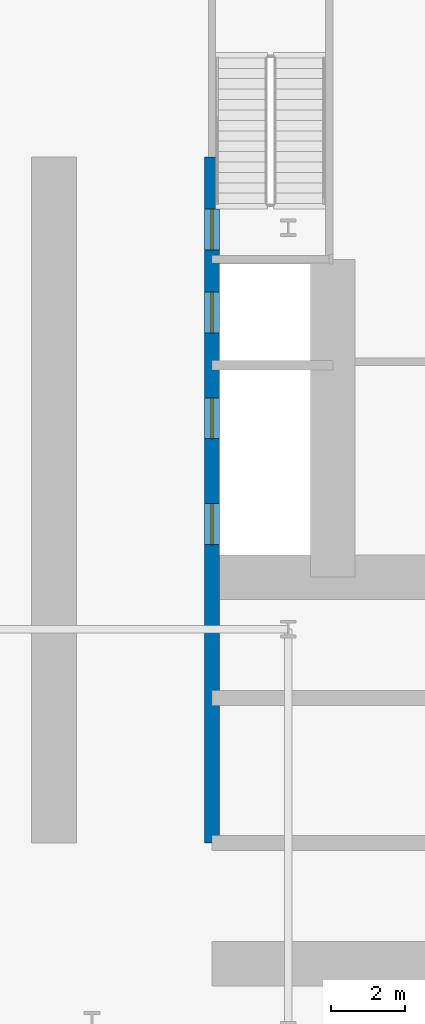
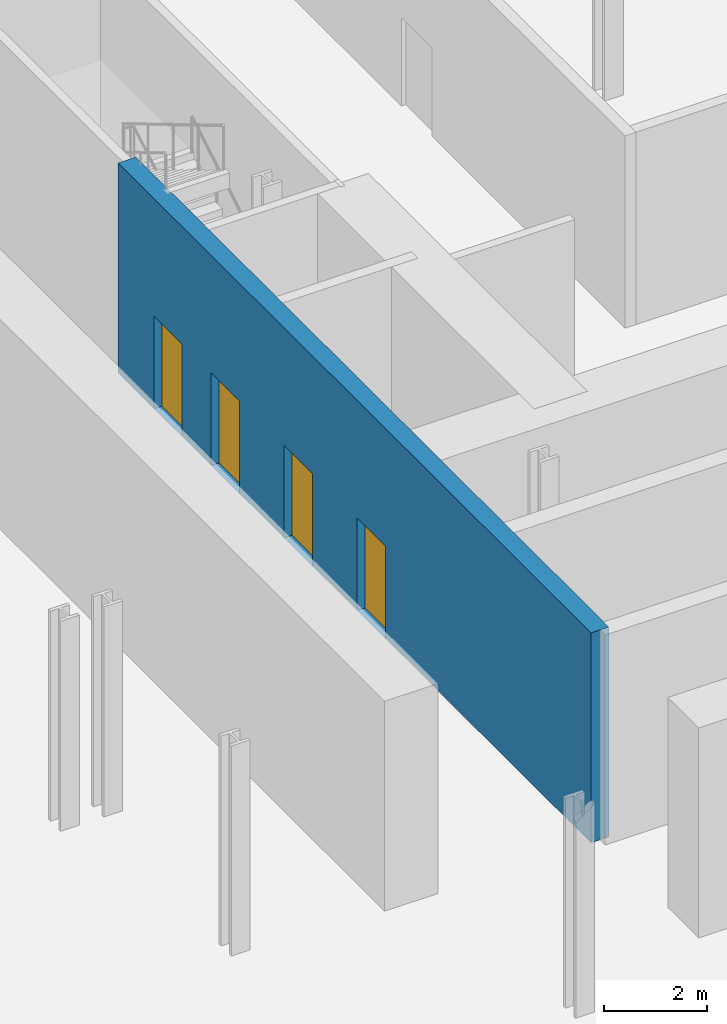
# One storey, part 6 of 19: 4 doors, 1 wall, 4 openings.
"""IFC4 building model written with IfcOpenShell, lengths in metres."""

from ifc_helpers import new_model, si_unit, direction, frame, frame_2d, origin, place, context, subcontext, project, spatial, rectangle, extrude, source, transform, mapped, material, layer, layer_set, type_object, element, fill, save


model = new_model("IFC4")

# Units and contexts
model_context = context("Model", 3, precision=1e-05, world=origin(), true_north=direction((0.0, 1.0)))
body_context = subcontext(model_context, "Body", "Model", "MODEL_VIEW")
ifc_project = project(units=[si_unit("LENGTHUNIT", "METRE"), si_unit("AREAUNIT", "SQUARE_METRE"), si_unit("VOLUMEUNIT", "CUBIC_METRE"), si_unit("PLANEANGLEUNIT", "RADIAN"), si_unit("MASSUNIT", "GRAM", prefix="KILO")], contexts=[model_context])

# Site, building, storey
site_placement = place(None, origin())
site = spatial("IfcSite", under=ifc_project, at=site_placement, CompositionType="ELEMENT")
building_placement = place(site_placement, origin())
building = spatial("IfcBuilding", under=site, at=building_placement, Name="Kheshtan School and Residences Tower", CompositionType="ELEMENT")
storey_placement = place(building_placement, frame((0.0, 0.0, -10.0)))
storey = spatial("IfcBuildingStorey", under=building, at=storey_placement, Name="B2", CompositionType="ELEMENT", Elevation=-10.0)

# Wall, openings, doors
ifc_material_1 = material(Name="Concrete C50/60", Category="concrete")
ifc_layer = layer(ifc_material_1, 0.39990234375)
ifc_layer_set = layer_set([ifc_layer], Name="Core wall 400 Concrete C50/60")
wall_type = type_object("IfcWallType", Name="Core wall 400 Concrete C50/60", PredefinedType="SHEAR", material=ifc_layer_set)
wall_placement = place(storey_placement, frame((34.75, 29.050048828125, 0.0), z_axis=(0.0, 0.0, 1.0), x_axis=(0.0, 1.0, 0.0)))
wall = element("IfcWall", 1, at=wall_placement, inside=storey, type_object=wall_type, Name="Core wall CW-HALL-W1", PredefinedType="SHEAR", context=body_context, shape_type="SweptSolid", body=[
    extrude(rectangle(XDim=18.449951171875, YDim=0.39990234375, at=frame_2d((9.22509765625, 0.0))), origin(), (0.0, 0.0, 1.0), 5.0),
])
opening_1_placement = place(wall_placement, frame((8.02490234375, 0.0, 0.0)))
opening_1 = element("IfcOpeningElement", 2, at=opening_1_placement, cuts=wall, Name="Opening LD", PredefinedType="OPENING", context=body_context, shape_type="SweptSolid", body=[
    extrude(rectangle(XDim=1.10009765625, YDim=2.199951171875, at=frame_2d((0.550048828125, 1.10009765625))), frame((0.0, 0.2099609375, 0.0), z_axis=(0.0, -1.0, 0.0), x_axis=(1.0, 0.0, 0.0)), (0.0, 0.0, 1.0), 0.419921875),
])
opening_2_placement = place(wall_placement, frame((10.875, 0.0, 0.0)))
opening_2 = element("IfcOpeningElement", 3, at=opening_2_placement, cuts=wall, Name="Opening LD", PredefinedType="OPENING", context=body_context, shape_type="SweptSolid", body=[
    extrude(rectangle(XDim=1.10009765625, YDim=2.199951171875, at=frame_2d((0.550048828125, 1.10009765625))), frame((0.0, 0.2099609375, 0.0), z_axis=(0.0, -1.0, 0.0), x_axis=(1.0, 0.0, 0.0)), (0.0, 0.0, 1.0), 0.419921875),
])
opening_3_placement = place(wall_placement, frame((13.72509765625, 0.0, 0.0)))
opening_3 = element("IfcOpeningElement", 4, at=opening_3_placement, cuts=wall, Name="Opening LD", PredefinedType="OPENING", context=body_context, shape_type="SweptSolid", body=[
    extrude(rectangle(XDim=1.10009765625, YDim=2.199951171875, at=frame_2d((0.550048828125, 1.10009765625))), frame((0.0, 0.2099609375, 0.0), z_axis=(0.0, -1.0, 0.0), x_axis=(1.0, 0.0, 0.0)), (0.0, 0.0, 1.0), 0.419921875),
])
opening_4_placement = place(wall_placement, frame((15.949951171875, 0.0, 0.0)))
opening_4 = element("IfcOpeningElement", 5, at=opening_4_placement, cuts=wall, Name="Opening ST2D", PredefinedType="OPENING", context=body_context, shape_type="SweptSolid", body=[
    extrude(rectangle(XDim=1.10009765625, YDim=2.199951171875, at=frame_2d((0.550048828125, 1.10009765625))), frame((0.0, 0.2099609375, 0.0), z_axis=(0.0, -1.0, 0.0), x_axis=(1.0, 0.0, 0.0)), (0.0, 0.0, 1.0), 0.419921875),
])
ifc_material_2 = material(Name="Stainless steel door leaves", Category="steel")
door_type_1 = type_object("IfcDoorType", Name="Lift landing door 1100", OperationType="SLIDING_TO_LEFT", PredefinedType="DOOR", material=ifc_material_2)
shared_shape_1 = source(origin(), body_context, "Body", "SweptSolid", [
    extrude(rectangle(XDim=1.10009765625, YDim=2.199951171875, at=frame_2d((0.550048828125, 1.10009765625))), frame((0.0, 0.02490234375, 0.0), z_axis=(0.0, -1.0, 0.0), x_axis=(1.0, 0.0, 0.0)), (0.0, 0.0, 1.0), 0.050048828125),
])
door_1_placement = place(opening_1_placement, origin())
door_1 = element("IfcDoor", 6, at=door_1_placement, inside=storey, type_object=door_type_1, Name="Lift SV1 landing door", OperationType="SLIDING_TO_LEFT", OverallHeight=2.199951171875, OverallWidth=1.10009765625, PredefinedType="DOOR", context=body_context, shape_type="MappedRepresentation", body=[
    mapped(shared_shape_1, transform((0.0, 0.0, 0.0), x_axis=(1.0, 0.0, 0.0), y_axis=(0.0, 1.0, 0.0), z_axis=(0.0, 0.0, 1.0), scale=1.0)),
])
fill(opening_1, door_1)
door_2_placement = place(opening_2_placement, origin())
door_2 = element("IfcDoor", 7, at=door_2_placement, inside=storey, type_object=door_type_1, Name="Lift SV2 landing door", OperationType="SLIDING_TO_LEFT", OverallHeight=2.199951171875, OverallWidth=1.10009765625, PredefinedType="DOOR", context=body_context, shape_type="MappedRepresentation", body=[
    mapped(shared_shape_1, transform((0.0, 0.0, 0.0), x_axis=(1.0, 0.0, 0.0), y_axis=(0.0, 1.0, 0.0), z_axis=(0.0, 0.0, 1.0), scale=1.0)),
])
fill(opening_2, door_2)
door_3_placement = place(opening_3_placement, origin())
door_3 = element("IfcDoor", 8, at=door_3_placement, inside=storey, type_object=door_type_1, Name="Lift FFL1 landing door", OperationType="SLIDING_TO_LEFT", OverallHeight=2.199951171875, OverallWidth=1.10009765625, PredefinedType="DOOR", context=body_context, shape_type="MappedRepresentation", body=[
    mapped(shared_shape_1, transform((0.0, 0.0, 0.0), x_axis=(1.0, 0.0, 0.0), y_axis=(0.0, 1.0, 0.0), z_axis=(0.0, 0.0, 1.0), scale=1.0)),
])
fill(opening_3, door_3)
ifc_material_3 = material(Name="Steel door leaf, galvanised", Category="steel")
door_type_2 = type_object("IfcDoorType", Name="Stair door 1100 steel 90 min", OperationType="SINGLE_SWING_LEFT", PredefinedType="DOOR", material=ifc_material_3)
shared_shape_2 = source(origin(), body_context, "Body", "SweptSolid", [
    extrude(rectangle(XDim=1.10009765625, YDim=2.199951171875, at=frame_2d((0.550048828125, 1.10009765625))), frame((0.0, 0.02490234375, 0.0), z_axis=(0.0, -1.0, 0.0), x_axis=(1.0, 0.0, 0.0)), (0.0, 0.0, 1.0), 0.050048828125),
])
door_4_placement = place(opening_4_placement, origin())
door_4 = element("IfcDoor", 9, at=door_4_placement, inside=storey, type_object=door_type_2, Name="Stair ST2 door", OperationType="SINGLE_SWING_RIGHT", OverallHeight=2.199951171875, OverallWidth=1.10009765625, PredefinedType="DOOR", context=body_context, shape_type="MappedRepresentation", body=[
    mapped(shared_shape_2, transform((0.0, 0.0, 0.0), x_axis=(1.0, 0.0, 0.0), y_axis=(0.0, 1.0, 0.0), z_axis=(0.0, 0.0, 1.0), scale=1.0)),
])
fill(opening_4, door_4)

save(model, "model.ifc")
